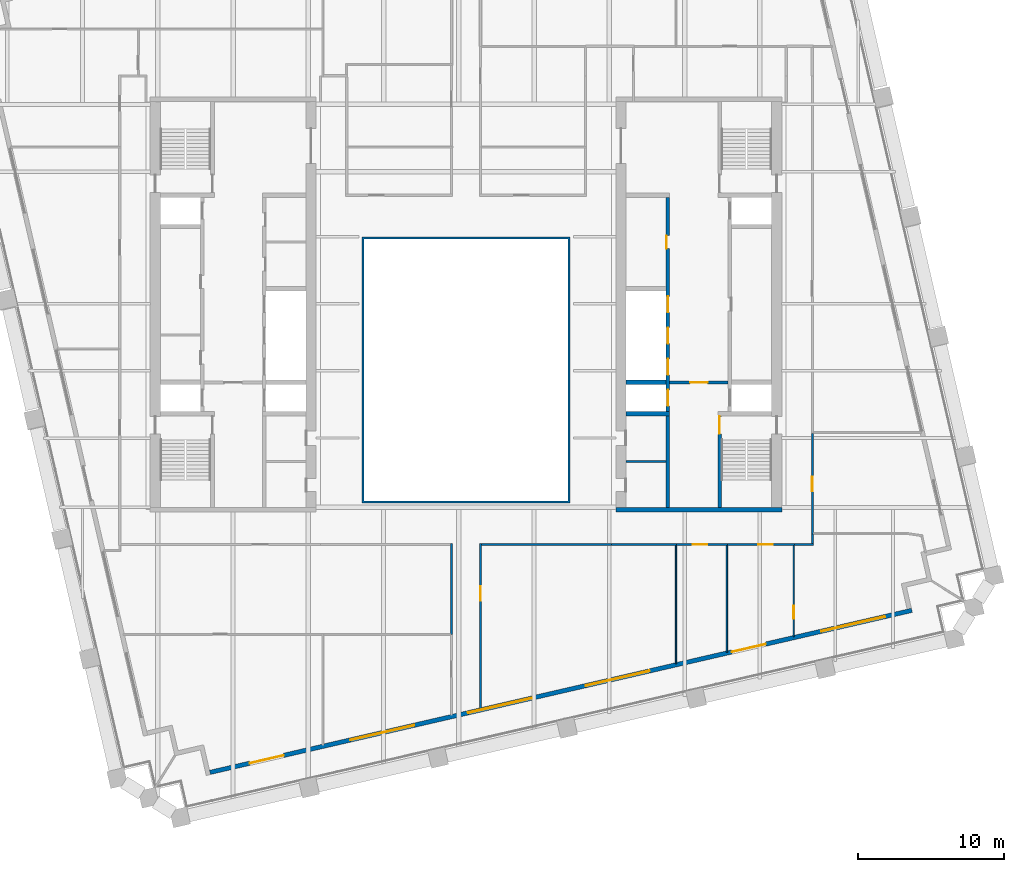
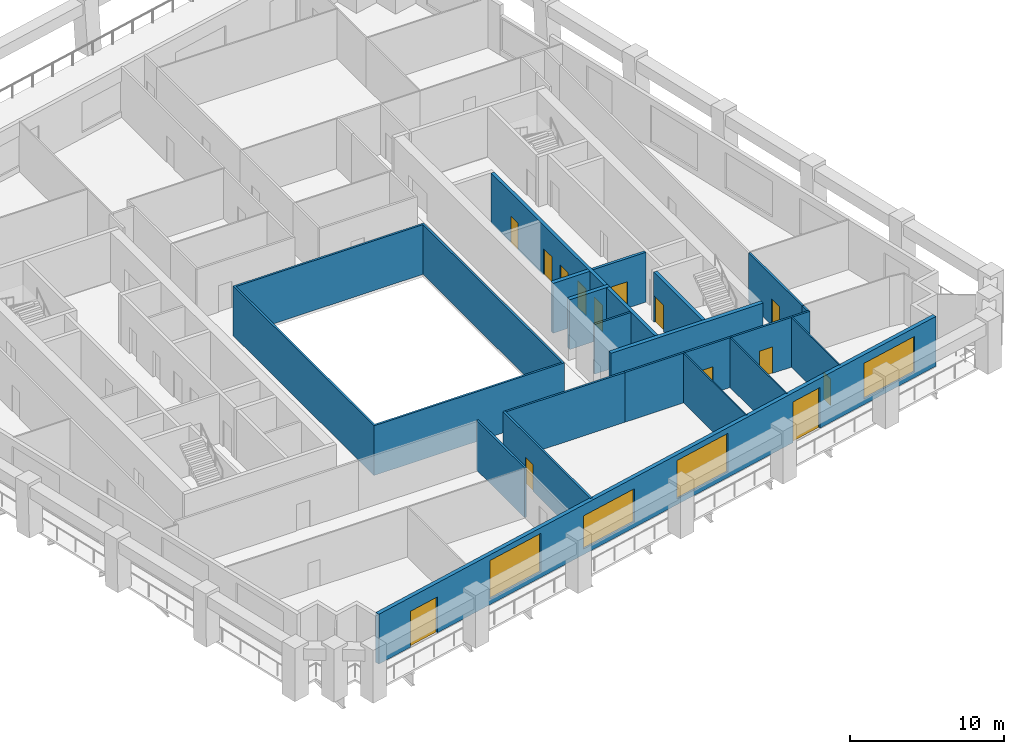
# One storey, part 5 of 11: 21 walls, 14 doors, 4 windows, 18 openings.
"""IFC4 building model written with IfcOpenShell, lengths in metres."""

from ifc_helpers import new_model, si_unit, direction, frame, frame_2d, origin, place, context, subcontext, project, spatial, polyline, rectangle, outline, extrude, material, layer, layer_set, type_object, element, fill, save


model = new_model("IFC4")

# Units and contexts
model_context = context("Model", 3, precision=1e-05, world=origin(), true_north=direction((0.0, 1.0)))
body_context = subcontext(model_context, "Body", "Model", "MODEL_VIEW")
ifc_project = project(units=[si_unit("LENGTHUNIT", "METRE"), si_unit("AREAUNIT", "SQUARE_METRE"), si_unit("VOLUMEUNIT", "CUBIC_METRE"), si_unit("PLANEANGLEUNIT", "RADIAN"), si_unit("MASSUNIT", "GRAM", prefix="KILO")], contexts=[model_context])

# Site, building, storey
site_placement = place(None, origin())
site = spatial("IfcSite", under=ifc_project, at=site_placement, CompositionType="ELEMENT")
building_placement = place(site_placement, origin())
building = spatial("IfcBuilding", under=site, at=building_placement, Name="Ogive Exchange Tower", CompositionType="ELEMENT")
storey_placement = place(building_placement, frame((0.0, 0.0, 217.800048828125)))
storey = spatial("IfcBuildingStorey", under=building, at=storey_placement, Name="L48", CompositionType="ELEMENT", Elevation=217.800048828125)

# Walls
ifc_material_1 = material(Name="Gypsum board partition")
ifc_layer_1 = layer(ifc_material_1, 0.14990234375)
ifc_layer_set_1 = layer_set([ifc_layer_1], Name="Core room partition 150 gypsum")
wall_type_1 = type_object("IfcWallType", Name="Core room partition 150 gypsum", PredefinedType="PARTITIONING", material=ifc_layer_set_1)
wall_1_placement = place(storey_placement, frame((11.0, 0.699951171875, 0.0), z_axis=(0.0, 0.0, 1.0), x_axis=(1.0, 0.0, 0.0)))
element("IfcWall", 1, at=wall_1_placement, inside=storey, type_object=wall_type_1, Name="E south room partition", PredefinedType="PARTITIONING", context=body_context, shape_type="SweptSolid", body=[
    extrude(rectangle(XDim=2.75, YDim=0.14990234375, at=frame_2d((1.375, 0.0))), origin(), (0.0, 0.0, 1.0), 3.949951171875),
])
ifc_material_2 = material(Name="Fire partition EI 60 150")
ifc_layer_2 = layer(ifc_material_2, 0.14990234375)
ifc_layer_set_2 = layer_set([ifc_layer_2], Name="Fire partition EI 60 150")
wall_type_2 = type_object("IfcWallType", Name="Fire partition EI 60 150", PredefinedType="PARTITIONING", material=ifc_layer_set_2)
wall_2_placement = place(storey_placement, frame((-0.989990234375, -11.169921875, 0.0), z_axis=(0.0, 0.0, 1.0), x_axis=(0.0, 1.0, 0.0)))
element("IfcWall", 2, at=wall_2_placement, inside=storey, type_object=wall_type_2, Name="L48-PWL-029", PredefinedType="PARTITIONING", context=body_context, shape_type="SweptSolid", body=[
    extrude(rectangle(XDim=6.244873046875, YDim=0.14990234375, at=frame_2d((3.12255859375, 0.0))), origin(), (0.0, 0.0, 1.0), 3.949951171875),
])

# Wall, opening, door
wall_3_placement = place(storey_placement, frame((0.989990234375, -4.925048828125, 0.0), z_axis=(0.0, 0.0, 1.0), x_axis=(0.0, -1.0, 0.0)))
wall_3 = element("IfcWall", 3, at=wall_3_placement, inside=storey, type_object=wall_type_2, Name="L48-PWL-034", PredefinedType="PARTITIONING", context=body_context, shape_type="SweptSolid", body=[
    extrude(rectangle(XDim=11.370849609375, YDim=0.14990234375, at=frame_2d((5.685546875, 0.0))), origin(), (0.0, 0.0, 1.0), 3.949951171875),
])
opening_1_placement = place(wall_3_placement, frame((2.945068359375, 0.0, 0.0)))
opening_1 = element("IfcOpeningElement", 4, at=opening_1_placement, cuts=wall_3, Name="Opening L48-I13", PredefinedType="OPENING", context=body_context, shape_type="SweptSolid", body=[
    extrude(rectangle(XDim=1.0, YDim=2.10009765625, at=frame_2d((0.5, 1.050048828125))), frame((0.0, 0.0849609375, 0.0), z_axis=(0.0, -1.0, 0.0), x_axis=(1.0, 0.0, 0.0)), (0.0, 0.0, 1.0), 0.169921875),
])
ifc_material_3 = material(Name="Fire door FD 30S 1000 x 2100")
door_type_1 = type_object("IfcDoorType", Name="Fire door FD 30S 1000 x 2100", OperationType="NOTDEFINED", PredefinedType="DOOR", material=ifc_material_3)
door_1_placement = place(opening_1_placement, origin())
door_1 = element("IfcDoor", 5, at=door_1_placement, inside=storey, type_object=door_type_1, Name="L48-IDR-013", ObjectType="DT3", OperationType="SINGLE_SWING_RIGHT", OverallHeight=2.10009765625, OverallWidth=1.0, PredefinedType="DOOR", context=body_context, shape_type="SweptSolid", body=[
    extrude(rectangle(XDim=1.0, YDim=2.10009765625, at=frame_2d((0.5, 1.050048828125))), frame((0.0, 0.02490234375, 0.0), z_axis=(0.0, -1.0, 0.0), x_axis=(1.0, 0.0, 0.0)), (0.0, 0.0, 1.0), 0.050048828125),
])
fill(opening_1, door_1)

# Walls
wall_4_placement = place(storey_placement, frame((10.0, -5.0, 0.0), z_axis=(0.0, 0.0, 1.0), x_axis=(-1.0, 0.0, 0.0)))
element("IfcWall", 6, at=wall_4_placement, inside=storey, type_object=wall_type_2, Name="L48-PWL-046", PredefinedType="PARTITIONING", context=body_context, shape_type="SweptSolid", body=[
    extrude(rectangle(XDim=8.93505859375, YDim=0.14990234375, at=frame_2d((4.467529296875, 0.0))), origin(), (0.0, 0.0, 1.0), 3.949951171875),
])
wall_5_placement = place(storey_placement, frame((14.47998046875, -5.0, 0.0), z_axis=(0.0, 0.0, 1.0), x_axis=(-1.0, 0.0, 0.0)))
element("IfcWall", 7, at=wall_5_placement, inside=storey, type_object=wall_type_2, Name="L48-PWL-049", PredefinedType="PARTITIONING", context=body_context, shape_type="SweptSolid", body=[
    extrude(rectangle(XDim=4.47998046875, YDim=0.14990234375, at=frame_2d((2.239990234375, 0.0))), origin(), (0.0, 0.0, 1.0), 3.949951171875),
])

# Wall, opening, door
wall_6_placement = place(storey_placement, frame((17.969970703125, -5.0, 0.0), z_axis=(0.0, 0.0, 1.0), x_axis=(-1.0, 0.0, 0.0)))
wall_6 = element("IfcWall", 8, at=wall_6_placement, inside=storey, type_object=wall_type_2, Name="L48-PWL-057", PredefinedType="PARTITIONING", context=body_context, shape_type="SweptSolid", body=[
    extrude(rectangle(XDim=3.489990234375, YDim=0.14990234375, at=frame_2d((1.7451171875, 0.0))), origin(), (0.0, 0.0, 1.0), 3.949951171875),
])
opening_2_placement = place(wall_6_placement, frame((1.389892578125, 0.0, 0.0)))
opening_2 = element("IfcOpeningElement", 9, at=opening_2_placement, cuts=wall_6, Name="Opening L48-I14", PredefinedType="OPENING", context=body_context, shape_type="SweptSolid", body=[
    extrude(rectangle(XDim=1.0, YDim=2.10009765625, at=frame_2d((0.5, 1.050048828125))), frame((0.0, 0.0849609375, 0.0), z_axis=(0.0, -1.0, 0.0), x_axis=(1.0, 0.0, 0.0)), (0.0, 0.0, 1.0), 0.169921875),
])
door_2_placement = place(opening_2_placement, origin())
door_2 = element("IfcDoor", 10, at=door_2_placement, inside=storey, type_object=door_type_1, Name="L48-IDR-014", ObjectType="DT3", OperationType="SINGLE_SWING_RIGHT", OverallHeight=2.10009765625, OverallWidth=1.0, PredefinedType="DOOR", context=body_context, shape_type="SweptSolid", body=[
    extrude(rectangle(XDim=1.0, YDim=2.10009765625, at=frame_2d((0.5, 1.050048828125))), frame((0.0, 0.02490234375, 0.0), z_axis=(0.0, -1.0, 0.0), x_axis=(1.0, 0.0, 0.0)), (0.0, 0.0, 1.0), 0.050048828125),
])
fill(opening_2, door_2)

wall_7_placement = place(storey_placement, frame((22.570068359375, -5.0, 0.0), z_axis=(0.0, 0.0, 1.0), x_axis=(-1.0, 0.0, 0.0)))
wall_7 = element("IfcWall", 11, at=wall_7_placement, inside=storey, type_object=wall_type_2, Name="L48-PWL-062", PredefinedType="PARTITIONING", context=body_context, shape_type="SweptSolid", body=[
    extrude(rectangle(XDim=4.650146484375, YDim=0.14990234375, at=frame_2d((2.3251953125, 0.0))), origin(), (0.0, 0.0, 1.0), 3.949951171875),
])
opening_3_placement = place(wall_7_placement, frame((1.5, 0.0, 0.0)))
opening_3 = element("IfcOpeningElement", 12, at=opening_3_placement, cuts=wall_7, Name="Opening L48-I15", PredefinedType="OPENING", context=body_context, shape_type="SweptSolid", body=[
    extrude(rectangle(XDim=1.0, YDim=2.10009765625, at=frame_2d((0.5, 1.050048828125))), frame((0.0, 0.0849609375, 0.0), z_axis=(0.0, -1.0, 0.0), x_axis=(1.0, 0.0, 0.0)), (0.0, 0.0, 1.0), 0.169921875),
])
door_3_placement = place(opening_3_placement, origin())
door_3 = element("IfcDoor", 13, at=door_3_placement, inside=storey, type_object=door_type_1, Name="L48-IDR-015", ObjectType="DT3", OperationType="SINGLE_SWING_RIGHT", OverallHeight=2.10009765625, OverallWidth=1.0, PredefinedType="DOOR", context=body_context, shape_type="SweptSolid", body=[
    extrude(rectangle(XDim=1.0, YDim=2.10009765625, at=frame_2d((0.5, 1.050048828125))), frame((0.0, 0.02490234375, 0.0), z_axis=(0.0, -1.0, 0.0), x_axis=(1.0, 0.0, 0.0)), (0.0, 0.0, 1.0), 0.050048828125),
])
fill(opening_3, door_3)

# Walls
wall_8_placement = place(storey_placement, frame((23.875, -5.0, 0.0), z_axis=(0.0, 0.0, 1.0), x_axis=(-1.0, 0.0, 0.0)))
element("IfcWall", 14, at=wall_8_placement, inside=storey, type_object=wall_type_2, Name="L48-PWL-066", PredefinedType="PARTITIONING", context=body_context, shape_type="SweptSolid", body=[
    extrude(rectangle(XDim=1.304931640625, YDim=0.14990234375, at=frame_2d((0.65234375, 0.0))), origin(), (0.0, 0.0, 1.0), 3.949951171875),
])
wall_9_placement = place(storey_placement, frame((23.800048828125, -4.2900390625, 0.0), z_axis=(0.0, 0.0, 1.0), x_axis=(0.0, -1.0, 0.0)))
element("IfcWall", 15, at=wall_9_placement, inside=storey, type_object=wall_type_2, Name="L48-PWL-067", PredefinedType="PARTITIONING", context=body_context, shape_type="SweptSolid", body=[
    extrude(rectangle(XDim=0.635009765625, YDim=0.14990234375, at=frame_2d((0.3173828125, 0.0))), origin(), (0.0, 0.0, 1.0), 3.949951171875),
])

# Wall, opening, door
wall_10_placement = place(storey_placement, frame((23.800048828125, 2.639892578125, 0.0), z_axis=(0.0, 0.0, 1.0), x_axis=(0.0, -1.0, 0.0)))
wall_10 = element("IfcWall", 16, at=wall_10_placement, inside=storey, type_object=wall_type_2, Name="L48-PWL-068", PredefinedType="PARTITIONING", context=body_context, shape_type="SweptSolid", body=[
    extrude(rectangle(XDim=6.929931640625, YDim=0.14990234375, at=frame_2d((3.46484375, 0.0))), origin(), (0.0, 0.0, 1.0), 3.949951171875),
])
opening_4_placement = place(wall_10_placement, frame((2.97998046875, 0.0, 0.0)))
opening_4 = element("IfcOpeningElement", 17, at=opening_4_placement, cuts=wall_10, Name="Opening L48-I17", PredefinedType="OPENING", context=body_context, shape_type="SweptSolid", body=[
    extrude(rectangle(XDim=1.0, YDim=2.10009765625, at=frame_2d((0.5, 1.050048828125))), frame((0.0, 0.0849609375, 0.0), z_axis=(0.0, -1.0, 0.0), x_axis=(1.0, 0.0, 0.0)), (0.0, 0.0, 1.0), 0.169921875),
])
door_4_placement = place(opening_4_placement, origin())
door_4 = element("IfcDoor", 18, at=door_4_placement, inside=storey, type_object=door_type_1, Name="L48-IDR-017", ObjectType="DT3", OperationType="SINGLE_SWING_RIGHT", OverallHeight=2.10009765625, OverallWidth=1.0, PredefinedType="DOOR", context=body_context, shape_type="SweptSolid", body=[
    extrude(rectangle(XDim=1.0, YDim=2.10009765625, at=frame_2d((0.5, 1.050048828125))), frame((0.0, 0.02490234375, 0.0), z_axis=(0.0, -1.0, 0.0), x_axis=(1.0, 0.0, 0.0)), (0.0, 0.0, 1.0), 0.050048828125),
])
fill(opening_4, door_4)

# Wall
ifc_material_4 = material(Name="Fire-resisting glass in steel frame", Category="steel")
ifc_layer_3 = layer(ifc_material_4, 0.14990234375)
ifc_layer_set_3 = layer_set([ifc_layer_3], Name="Fire-rated glazed wall 150")
wall_type_3 = type_object("IfcWallType", Name="Fire-rated glazed wall 150", PredefinedType="STANDARD", material=ifc_layer_set_3)
wall_11_placement = place(storey_placement, origin())
element("IfcWall", 19, at=wall_11_placement, inside=storey, type_object=wall_type_3, Name="Nave enclosure wall", PredefinedType="STANDARD", context=body_context, shape_type="SweptSolid", body=[
    extrude(outline(polyline([(-7.14990234375, -2.14990234375), (7.14990234375, -2.14990234375), (7.14990234375, 16.14990234375), (-7.14990234375, 16.14990234375), (-7.14990234375, -2.14990234375)]), holes=[polyline([(-7.0, -2.0), (-7.0, 16.0), (7.0, 16.0), (7.0, -2.0), (-7.0, -2.0)])]), origin(), (0.0, 0.0, 1.0), 3.949951171875),
])

# Wall, openings, doors, windows
ifc_material_5 = material(Name="Precast concrete C40/50", Category="concrete")
ifc_layer_4 = layer(ifc_material_5, 0.300048828125)
ifc_layer_set_4 = layer_set([ifc_layer_4], Name="Limestone-faced wall 300")
wall_type_4 = type_object("IfcWallType", Name="Limestone-faced wall 300", PredefinedType="STANDARD", material=ifc_layer_set_4)
wall_12_placement = place(storey_placement, frame((-17.592041015625, -20.6572265625, 0.0), z_axis=(0.0, 0.0, 1.0), x_axis=(0.974370243697, 0.224950279389, 0.0)))
wall_12 = element("IfcWall", 20, at=wall_12_placement, inside=storey, type_object=wall_type_4, Name="External wall S1", PredefinedType="STANDARD", context=body_context, shape_type="SweptSolid", body=[
    extrude(rectangle(XDim=49.499755859375, YDim=0.300048828125, at=frame_2d((24.75, 0.0))), origin(), (0.0, 0.0, 1.0), 3.949951171875),
])
opening_5_placement = place(wall_12_placement, frame((2.800048828125, 0.0, 0.0)))
opening_5 = element("IfcOpeningElement", 21, at=opening_5_placement, cuts=wall_12, Name="Opening D1R", PredefinedType="OPENING", context=body_context, shape_type="SweptSolid", body=[
    extrude(rectangle(XDim=2.39990234375, YDim=2.85009765625, at=frame_2d((1.199951171875, 1.425048828125))), frame((0.0, 0.159912109375, 0.0), z_axis=(0.0, -1.0, 0.0), x_axis=(1.0, 0.0, 0.0)), (0.0, 0.0, 1.0), 0.320068359375),
])
opening_6_placement = place(wall_12_placement, frame((9.89990234375, 0.0, 0.449951171875)))
opening_6 = element("IfcOpeningElement", 22, at=opening_6_placement, cuts=wall_12, Name="Opening W1", PredefinedType="OPENING", context=body_context, shape_type="SweptSolid", body=[
    extrude(rectangle(XDim=4.5, YDim=3.050048828125, at=frame_2d((2.25, 1.52490234375))), frame((0.0, 0.159912109375, 0.0), z_axis=(0.0, -1.0, 0.0), x_axis=(1.0, 0.0, 0.0)), (0.0, 0.0, 1.0), 0.320068359375),
])
opening_7_placement = place(wall_12_placement, frame((18.199951171875, 0.0, 0.449951171875)))
opening_7 = element("IfcOpeningElement", 23, at=opening_7_placement, cuts=wall_12, Name="Opening W1L", PredefinedType="OPENING", context=body_context, shape_type="SweptSolid", body=[
    extrude(rectangle(XDim=4.5, YDim=2.625, at=frame_2d((2.25, 1.3125))), frame((0.0, 0.159912109375, 0.0), z_axis=(0.0, -1.0, 0.0), x_axis=(1.0, 0.0, 0.0)), (0.0, 0.0, 1.0), 0.320068359375),
])
opening_8_placement = place(wall_12_placement, frame((26.5, 0.0, 0.449951171875)))
opening_8 = element("IfcOpeningElement", 24, at=opening_8_placement, cuts=wall_12, Name="Opening W1", PredefinedType="OPENING", context=body_context, shape_type="SweptSolid", body=[
    extrude(rectangle(XDim=4.5, YDim=3.050048828125, at=frame_2d((2.25, 1.52490234375))), frame((0.0, 0.159912109375, 0.0), z_axis=(0.0, -1.0, 0.0), x_axis=(1.0, 0.0, 0.0)), (0.0, 0.0, 1.0), 0.320068359375),
])
opening_9_placement = place(wall_12_placement, frame((36.800048828125, 0.0, 0.0)))
opening_9 = element("IfcOpeningElement", 25, at=opening_9_placement, cuts=wall_12, Name="Opening D1G", PredefinedType="OPENING", context=body_context, shape_type="SweptSolid", body=[
    extrude(rectangle(XDim=2.39990234375, YDim=3.22509765625, at=frame_2d((1.199951171875, 1.612548828125))), frame((0.0, 0.159912109375, 0.0), z_axis=(0.0, -1.0, 0.0), x_axis=(1.0, 0.0, 0.0)), (0.0, 0.0, 1.0), 0.320068359375),
])
opening_10_placement = place(wall_12_placement, frame((43.10009765625, 0.0, 0.449951171875)))
opening_10 = element("IfcOpeningElement", 26, at=opening_10_placement, cuts=wall_12, Name="Opening W1E", PredefinedType="OPENING", context=body_context, shape_type="SweptSolid", body=[
    extrude(rectangle(XDim=4.5, YDim=2.824951171875, at=frame_2d((2.25, 1.41259765625))), frame((0.0, 0.159912109375, 0.0), z_axis=(0.0, -1.0, 0.0), x_axis=(1.0, 0.0, 0.0)), (0.0, 0.0, 1.0), 0.320068359375),
])
ifc_material_6 = material(Name="Clear glass in bronze frame", Category="glass")
door_type_2 = type_object("IfcDoorType", Name="Sliding loggia door 2400 x 2850", OperationType="DOUBLE_DOOR_SLIDING", PredefinedType="DOOR", material=ifc_material_6)
door_5_placement = place(opening_5_placement, origin())
door_5 = element("IfcDoor", 27, at=door_5_placement, inside=storey, type_object=door_type_2, Name="Loggia door S00", OperationType="DOUBLE_DOOR_SLIDING", OverallHeight=2.85009765625, OverallWidth=2.39990234375, PredefinedType="DOOR", context=body_context, shape_type="SweptSolid", body=[
    extrude(rectangle(XDim=2.39990234375, YDim=2.85009765625, at=frame_2d((1.199951171875, 1.425048828125))), frame((0.0, 0.02490234375, 0.0), z_axis=(0.0, -1.0, 0.0), x_axis=(1.0, 0.0, 0.0)), (0.0, 0.0, 1.0), 0.050048828125),
])
fill(opening_5, door_5)
door_type_3 = type_object("IfcDoorType", Name="Sliding loggia door 2400 x 3225", OperationType="DOUBLE_DOOR_SLIDING", PredefinedType="DOOR", material=ifc_material_6)
door_6_placement = place(opening_9_placement, origin())
door_6 = element("IfcDoor", 28, at=door_6_placement, inside=storey, type_object=door_type_3, Name="Loggia door S04", OperationType="DOUBLE_DOOR_SLIDING", OverallHeight=3.22509765625, OverallWidth=2.39990234375, PredefinedType="DOOR", context=body_context, shape_type="SweptSolid", body=[
    extrude(rectangle(XDim=2.39990234375, YDim=3.22509765625, at=frame_2d((1.199951171875, 1.612548828125))), frame((0.0, 0.02490234375, 0.0), z_axis=(0.0, -1.0, 0.0), x_axis=(1.0, 0.0, 0.0)), (0.0, 0.0, 1.0), 0.050048828125),
])
fill(opening_9, door_6)
window_type_1 = type_object("IfcWindowType", Name="Twin lancet window 4500 x 2625", PartitioningType="DOUBLE_PANEL_VERTICAL", PredefinedType="WINDOW", material=ifc_material_6)
window_1_placement = place(opening_7_placement, origin())
window_1 = element("IfcWindow", 29, at=window_1_placement, inside=storey, type_object=window_type_1, Name="Window S02", OverallHeight=2.625, OverallWidth=4.5, PartitioningType="DOUBLE_PANEL_VERTICAL", PredefinedType="WINDOW", context=body_context, shape_type="SweptSolid", body=[
    extrude(rectangle(XDim=4.5, YDim=2.625, at=frame_2d((2.25, 1.3125))), frame((0.0, 0.030029296875, 0.0), z_axis=(0.0, -1.0, 0.0), x_axis=(1.0, 0.0, 0.0)), (0.0, 0.0, 1.0), 0.06005859375),
])
fill(opening_7, window_1)
window_type_2 = type_object("IfcWindowType", Name="Twin lancet window 4500 x 2825", PartitioningType="DOUBLE_PANEL_VERTICAL", PredefinedType="WINDOW", material=ifc_material_6)
window_2_placement = place(opening_10_placement, origin())
window_2 = element("IfcWindow", 30, at=window_2_placement, inside=storey, type_object=window_type_2, Name="Window S05", OverallHeight=2.824951171875, OverallWidth=4.5, PartitioningType="DOUBLE_PANEL_VERTICAL", PredefinedType="WINDOW", context=body_context, shape_type="SweptSolid", body=[
    extrude(rectangle(XDim=4.5, YDim=2.824951171875, at=frame_2d((2.25, 1.41259765625))), frame((0.0, 0.030029296875, 0.0), z_axis=(0.0, -1.0, 0.0), x_axis=(1.0, 0.0, 0.0)), (0.0, 0.0, 1.0), 0.06005859375),
])
fill(opening_10, window_2)
window_type_3 = type_object("IfcWindowType", Name="Twin lancet window 4500 x 3050", PartitioningType="DOUBLE_PANEL_VERTICAL", PredefinedType="WINDOW", material=ifc_material_6)
window_3_placement = place(opening_6_placement, origin())
window_3 = element("IfcWindow", 31, at=window_3_placement, inside=storey, type_object=window_type_3, Name="Window S01", OverallHeight=3.050048828125, OverallWidth=4.5, PartitioningType="DOUBLE_PANEL_VERTICAL", PredefinedType="WINDOW", context=body_context, shape_type="SweptSolid", body=[
    extrude(rectangle(XDim=4.5, YDim=3.050048828125, at=frame_2d((2.25, 1.52490234375))), frame((0.0, 0.030029296875, 0.0), z_axis=(0.0, -1.0, 0.0), x_axis=(1.0, 0.0, 0.0)), (0.0, 0.0, 1.0), 0.06005859375),
])
fill(opening_6, window_3)
window_4_placement = place(opening_8_placement, origin())
window_4 = element("IfcWindow", 32, at=window_4_placement, inside=storey, type_object=window_type_3, Name="Window S03", OverallHeight=3.050048828125, OverallWidth=4.5, PartitioningType="DOUBLE_PANEL_VERTICAL", PredefinedType="WINDOW", context=body_context, shape_type="SweptSolid", body=[
    extrude(rectangle(XDim=4.5, YDim=3.050048828125, at=frame_2d((2.25, 1.52490234375))), frame((0.0, 0.030029296875, 0.0), z_axis=(0.0, -1.0, 0.0), x_axis=(1.0, 0.0, 0.0)), (0.0, 0.0, 1.0), 0.06005859375),
])
fill(opening_8, window_4)

# Walls
ifc_material_7 = material(Name="Partition 100 gypsum")
ifc_layer_5 = layer(ifc_material_7, 0.10009765625)
ifc_layer_set_5 = layer_set([ifc_layer_5], Name="Partition 100 gypsum")
wall_type_5 = type_object("IfcWallType", Name="Partition 100 gypsum", PredefinedType="PARTITIONING", material=ifc_layer_set_5)
wall_13_placement = place(storey_placement, frame((14.429931640625, -5.074951171875, 0.0), z_axis=(0.0, 0.0, 1.0), x_axis=(0.0, -1.0, 0.0)))
element("IfcWall", 33, at=wall_13_placement, inside=storey, type_object=wall_type_5, Name="L48-PWL-050", PredefinedType="PARTITIONING", context=body_context, shape_type="SweptSolid", body=[
    extrude(rectangle(XDim=8.1181640625, YDim=0.10009765625, at=frame_2d((4.05908203125, 0.0))), origin(), (0.0, 0.0, 1.0), 3.949951171875),
])
wall_14_placement = place(storey_placement, frame((17.919921875, -5.074951171875, 0.0), z_axis=(0.0, 0.0, 1.0), x_axis=(0.0, -1.0, 0.0)))
element("IfcWall", 34, at=wall_14_placement, inside=storey, type_object=wall_type_5, Name="L48-PWL-058", PredefinedType="PARTITIONING", context=body_context, shape_type="SweptSolid", body=[
    extrude(rectangle(XDim=7.31201171875, YDim=0.10009765625, at=frame_2d((3.656005859375, 0.0))), origin(), (0.0, 0.0, 1.0), 3.949951171875),
])

# Wall, opening, door
wall_15_placement = place(storey_placement, frame((22.52001953125, -5.074951171875, 0.0), z_axis=(0.0, 0.0, 1.0), x_axis=(0.0, -1.0, 0.0)))
wall_15 = element("IfcWall", 35, at=wall_15_placement, inside=storey, type_object=wall_type_5, Name="L48-PWL-063", PredefinedType="PARTITIONING", context=body_context, shape_type="SweptSolid", body=[
    extrude(rectangle(XDim=6.25, YDim=0.10009765625, at=frame_2d((3.125, 0.0))), origin(), (0.0, 0.0, 1.0), 3.949951171875),
])
opening_11_placement = place(wall_15_placement, frame((4.125, 0.0, 0.0)))
opening_11 = element("IfcOpeningElement", 36, at=opening_11_placement, cuts=wall_15, Name="Opening L48-I18", PredefinedType="OPENING", context=body_context, shape_type="SweptSolid", body=[
    extrude(rectangle(XDim=0.89990234375, YDim=2.10009765625, at=frame_2d((0.449951171875, 1.050048828125))), frame((0.0, 0.06005859375, 0.0), z_axis=(0.0, -1.0, 0.0), x_axis=(1.0, 0.0, 0.0)), (0.0, 0.0, 1.0), 0.1201171875),
])
ifc_material_8 = material(Name="Door 900 x 2100")
door_type_4 = type_object("IfcDoorType", Name="Door 900 x 2100", OperationType="NOTDEFINED", PredefinedType="DOOR", material=ifc_material_8)
door_7_placement = place(opening_11_placement, frame((0.89990234375, 0.0, 0.0), z_axis=(0.0, 0.0, 1.0), x_axis=(-1.0, 0.0, 0.0)))
door_7 = element("IfcDoor", 37, at=door_7_placement, inside=storey, type_object=door_type_4, Name="L48-IDR-018", ObjectType="DT1", OperationType="SINGLE_SWING_RIGHT", OverallHeight=2.10009765625, OverallWidth=0.89990234375, PredefinedType="DOOR", context=body_context, shape_type="SweptSolid", body=[
    extrude(rectangle(XDim=0.89990234375, YDim=2.10009765625, at=frame_2d((0.449951171875, 1.050048828125))), frame((0.0, 0.02490234375, 0.0), z_axis=(0.0, -1.0, 0.0), x_axis=(1.0, 0.0, 0.0)), (0.0, 0.0, 1.0), 0.050048828125),
])
fill(opening_11, door_7)

ifc_material_9 = material(Name="Concrete C70/85", Category="concrete")
ifc_layer_6 = layer(ifc_material_9, 0.199951171875)
ifc_layer_set_6 = layer_set([ifc_layer_6], Name="RC core wall 200 C70/85")
wall_type_6 = type_object("IfcWallType", Name="RC core wall 200 C70/85", PredefinedType="SHEAR", material=ifc_layer_set_6)
wall_16_placement = place(storey_placement, frame((14.0, 6.142822265625, 0.0), z_axis=(0.0, 0.0, 1.0), x_axis=(1.0, 0.0, 0.0)))
wall_16 = element("IfcWall", 38, at=wall_16_placement, inside=storey, type_object=wall_type_6, Name="E firefighting lobby wall", PredefinedType="SHEAR", context=body_context, shape_type="SweptSolid", body=[
    extrude(rectangle(XDim=4.0, YDim=0.199951171875, at=frame_2d((2.0, 0.0))), origin(), (0.0, 0.0, 1.0), 3.949951171875),
])
opening_12_placement = place(wall_16_placement, frame((1.39990234375, 0.0, 0.0)))
opening_12 = element("IfcOpeningElement", 39, at=opening_12_placement, cuts=wall_16, Name="Opening L48-C27", PredefinedType="OPENING", context=body_context, shape_type="SweptSolid", body=[
    extrude(rectangle(XDim=1.199951171875, YDim=2.10009765625, at=frame_2d((0.60009765625, 1.050048828125))), frame((0.0, 0.10986328125, 0.0), z_axis=(0.0, -1.0, 0.0), x_axis=(1.0, 0.0, 0.0)), (0.0, 0.0, 1.0), 0.219970703125),
])
ifc_material_10 = material(Name="Steel fire door", Category="steel")
door_type_5 = type_object("IfcDoorType", Name="Firefighting lobby door FD60 1200 x 2100", OperationType="NOTDEFINED", PredefinedType="DOOR", material=ifc_material_10)
door_8_placement = place(opening_12_placement, frame((1.199951171875, 0.0, 0.0), z_axis=(0.0, 0.0, 1.0), x_axis=(-1.0, 0.0, 0.0)))
door_8 = element("IfcDoor", 40, at=door_8_placement, inside=storey, type_object=door_type_5, Name="Firefighting lobby door", ObjectType="CD3", OperationType="SINGLE_SWING_RIGHT", OverallHeight=2.10009765625, OverallWidth=1.199951171875, PredefinedType="DOOR", context=body_context, shape_type="SweptSolid", body=[
    extrude(rectangle(XDim=1.199951171875, YDim=2.10009765625, at=frame_2d((0.60009765625, 1.050048828125))), frame((0.0, 0.02490234375, 0.0), z_axis=(0.0, -1.0, 0.0), x_axis=(1.0, 0.0, 0.0)), (0.0, 0.0, 1.0), 0.050048828125),
])
fill(opening_12, door_8)

ifc_layer_7 = layer(ifc_material_9, 0.25)
ifc_layer_set_7 = layer_set([ifc_layer_7], Name="RC core wall 250 C70/85")
wall_type_7 = type_object("IfcWallType", Name="RC core wall 250 C70/85", PredefinedType="SHEAR", material=ifc_layer_set_7)
wall_17_placement = place(storey_placement, frame((17.425048828125, -2.449951171875, 0.0), z_axis=(0.0, 0.0, 1.0), x_axis=(0.0, 1.0, 0.0)))
wall_17 = element("IfcWall", 41, at=wall_17_placement, inside=storey, type_object=wall_type_7, Name="E stair S front wall", PredefinedType="SHEAR", context=body_context, shape_type="SweptSolid", body=[
    extrude(rectangle(XDim=6.300048828125, YDim=0.25, at=frame_2d((3.14990234375, 0.0))), origin(), (0.0, 0.0, 1.0), 3.949951171875),
])
opening_13_placement = place(wall_17_placement, frame((5.050048828125, 0.0, 0.0)))
opening_13 = element("IfcOpeningElement", 42, at=opening_13_placement, cuts=wall_17, Name="Opening L48-C29", PredefinedType="OPENING", context=body_context, shape_type="SweptSolid", body=[
    extrude(rectangle(XDim=1.199951171875, YDim=2.10009765625, at=frame_2d((0.60009765625, 1.050048828125))), frame((0.0, 0.135009765625, 0.0), z_axis=(0.0, -1.0, 0.0), x_axis=(1.0, 0.0, 0.0)), (0.0, 0.0, 1.0), 0.27001953125),
])
door_type_6 = type_object("IfcDoorType", Name="Stair door FD90 1200 x 2100", OperationType="NOTDEFINED", PredefinedType="DOOR", material=ifc_material_10)
door_9_placement = place(opening_13_placement, frame((1.199951171875, 0.0, 0.0), z_axis=(0.0, 0.0, 1.0), x_axis=(-1.0, 0.0, 0.0)))
door_9 = element("IfcDoor", 43, at=door_9_placement, inside=storey, type_object=door_type_6, Name="Stair door", ObjectType="CD5", OperationType="SINGLE_SWING_RIGHT", OverallHeight=2.10009765625, OverallWidth=1.199951171875, PredefinedType="DOOR", context=body_context, shape_type="SweptSolid", body=[
    extrude(rectangle(XDim=1.199951171875, YDim=2.10009765625, at=frame_2d((0.60009765625, 1.050048828125))), frame((0.0, 0.02490234375, 0.0), z_axis=(0.0, -1.0, 0.0), x_axis=(1.0, 0.0, 0.0)), (0.0, 0.0, 1.0), 0.050048828125),
])
fill(opening_13, door_9)

# Wall, openings, doors
wall_18_placement = place(storey_placement, frame((13.875, -2.449951171875, 0.0), z_axis=(0.0, 0.0, 1.0), x_axis=(0.0, 1.0, 0.0)))
wall_18 = element("IfcWall", 44, at=wall_18_placement, inside=storey, type_object=wall_type_7, Name="E row B front wall", PredefinedType="SHEAR", context=body_context, shape_type="SweptSolid", body=[
    extrude(rectangle(XDim=21.300048828125, YDim=0.25, at=frame_2d((10.64990234375, 0.0))), origin(), (0.0, 0.0, 1.0), 3.949951171875),
])
opening_14_placement = place(wall_18_placement, frame((17.78564453125, 0.0, 0.0)))
opening_14 = element("IfcOpeningElement", 45, at=opening_14_placement, cuts=wall_18, Name="Opening L48-C22", PredefinedType="OPENING", context=body_context, shape_type="SweptSolid", body=[
    extrude(rectangle(XDim=0.89990234375, YDim=2.10009765625, at=frame_2d((0.449951171875, 1.050048828125))), frame((0.0, 0.135009765625, 0.0), z_axis=(0.0, -1.0, 0.0), x_axis=(1.0, 0.0, 0.0)), (0.0, 0.0, 1.0), 0.27001953125),
])
opening_15_placement = place(wall_18_placement, frame((6.971435546875, 0.0, 0.0)))
opening_15 = element("IfcOpeningElement", 46, at=opening_15_placement, cuts=wall_18, Name="Opening L48-C23", PredefinedType="OPENING", context=body_context, shape_type="SweptSolid", body=[
    extrude(rectangle(XDim=1.10009765625, YDim=2.10009765625, at=frame_2d((0.550048828125, 1.050048828125))), frame((0.0, 0.135009765625, 0.0), z_axis=(0.0, -1.0, 0.0), x_axis=(1.0, 0.0, 0.0)), (0.0, 0.0, 1.0), 0.27001953125),
])
opening_16_placement = place(wall_18_placement, frame((9.1142578125, 0.0, 0.0)))
opening_16 = element("IfcOpeningElement", 47, at=opening_16_placement, cuts=wall_18, Name="Opening L48-C24", PredefinedType="OPENING", context=body_context, shape_type="SweptSolid", body=[
    extrude(rectangle(XDim=1.10009765625, YDim=2.10009765625, at=frame_2d((0.550048828125, 1.050048828125))), frame((0.0, 0.135009765625, 0.0), z_axis=(0.0, -1.0, 0.0), x_axis=(1.0, 0.0, 0.0)), (0.0, 0.0, 1.0), 0.27001953125),
])
opening_17_placement = place(wall_18_placement, frame((11.257080078125, 0.0, 0.0)))
opening_17 = element("IfcOpeningElement", 48, at=opening_17_placement, cuts=wall_18, Name="Opening L48-C25", PredefinedType="OPENING", context=body_context, shape_type="SweptSolid", body=[
    extrude(rectangle(XDim=1.10009765625, YDim=2.10009765625, at=frame_2d((0.550048828125, 1.050048828125))), frame((0.0, 0.135009765625, 0.0), z_axis=(0.0, -1.0, 0.0), x_axis=(1.0, 0.0, 0.0)), (0.0, 0.0, 1.0), 0.27001953125),
])
opening_18_placement = place(wall_18_placement, frame((13.39990234375, 0.0, 0.0)))
opening_18 = element("IfcOpeningElement", 49, at=opening_18_placement, cuts=wall_18, Name="Opening L48-C26", PredefinedType="OPENING", context=body_context, shape_type="SweptSolid", body=[
    extrude(rectangle(XDim=1.10009765625, YDim=2.10009765625, at=frame_2d((0.550048828125, 1.050048828125))), frame((0.0, 0.135009765625, 0.0), z_axis=(0.0, -1.0, 0.0), x_axis=(1.0, 0.0, 0.0)), (0.0, 0.0, 1.0), 0.27001953125),
])
ifc_material_11 = material(Name="Stainless steel", Category="steel")
door_type_7 = type_object("IfcDoorType", Name="Lift landing door FD90 1100 x 2100", OperationType="SLIDING_TO_LEFT", PredefinedType="DOOR", material=ifc_material_11)
door_10_placement = place(opening_15_placement, origin())
door_10 = element("IfcDoor", 50, at=door_10_placement, inside=storey, type_object=door_type_7, Name="Lift landing door SV2", ObjectType="LD", OperationType="SLIDING_TO_LEFT", OverallHeight=2.10009765625, OverallWidth=1.10009765625, PredefinedType="DOOR", context=body_context, shape_type="SweptSolid", body=[
    extrude(rectangle(XDim=1.10009765625, YDim=2.10009765625, at=frame_2d((0.550048828125, 1.050048828125))), frame((0.0, 0.02490234375, 0.0), z_axis=(0.0, -1.0, 0.0), x_axis=(1.0, 0.0, 0.0)), (0.0, 0.0, 1.0), 0.050048828125),
])
fill(opening_15, door_10)
door_11_placement = place(opening_16_placement, origin())
door_11 = element("IfcDoor", 51, at=door_11_placement, inside=storey, type_object=door_type_7, Name="Lift landing door E-M1", ObjectType="LD", OperationType="SLIDING_TO_LEFT", OverallHeight=2.10009765625, OverallWidth=1.10009765625, PredefinedType="DOOR", context=body_context, shape_type="SweptSolid", body=[
    extrude(rectangle(XDim=1.10009765625, YDim=2.10009765625, at=frame_2d((0.550048828125, 1.050048828125))), frame((0.0, 0.02490234375, 0.0), z_axis=(0.0, -1.0, 0.0), x_axis=(1.0, 0.0, 0.0)), (0.0, 0.0, 1.0), 0.050048828125),
])
fill(opening_16, door_11)
door_12_placement = place(opening_17_placement, origin())
door_12 = element("IfcDoor", 52, at=door_12_placement, inside=storey, type_object=door_type_7, Name="Lift landing door E-M2", ObjectType="LD", OperationType="SLIDING_TO_LEFT", OverallHeight=2.10009765625, OverallWidth=1.10009765625, PredefinedType="DOOR", context=body_context, shape_type="SweptSolid", body=[
    extrude(rectangle(XDim=1.10009765625, YDim=2.10009765625, at=frame_2d((0.550048828125, 1.050048828125))), frame((0.0, 0.02490234375, 0.0), z_axis=(0.0, -1.0, 0.0), x_axis=(1.0, 0.0, 0.0)), (0.0, 0.0, 1.0), 0.050048828125),
])
fill(opening_17, door_12)
door_13_placement = place(opening_18_placement, origin())
door_13 = element("IfcDoor", 53, at=door_13_placement, inside=storey, type_object=door_type_7, Name="Lift landing door E-M3", ObjectType="LD", OperationType="SLIDING_TO_LEFT", OverallHeight=2.10009765625, OverallWidth=1.10009765625, PredefinedType="DOOR", context=body_context, shape_type="SweptSolid", body=[
    extrude(rectangle(XDim=1.10009765625, YDim=2.10009765625, at=frame_2d((0.550048828125, 1.050048828125))), frame((0.0, 0.02490234375, 0.0), z_axis=(0.0, -1.0, 0.0), x_axis=(1.0, 0.0, 0.0)), (0.0, 0.0, 1.0), 0.050048828125),
])
fill(opening_18, door_13)
door_type_8 = type_object("IfcDoorType", Name="Riser door FD60 900 x 2100", OperationType="NOTDEFINED", PredefinedType="DOOR", material=ifc_material_10)
door_14_placement = place(opening_14_placement, origin())
door_14 = element("IfcDoor", 54, at=door_14_placement, inside=storey, type_object=door_type_8, Name="Riser door", ObjectType="CD2", OperationType="SINGLE_SWING_RIGHT", OverallHeight=2.10009765625, OverallWidth=0.89990234375, PredefinedType="DOOR", context=body_context, shape_type="SweptSolid", body=[
    extrude(rectangle(XDim=0.89990234375, YDim=2.10009765625, at=frame_2d((0.449951171875, 1.050048828125))), frame((0.0, 0.125, 0.0), z_axis=(0.0, -1.0, 0.0), x_axis=(1.0, 0.0, 0.0)), (0.0, 0.0, 1.0), 0.050048828125),
])
fill(opening_14, door_14)

# Walls
ifc_layer_8 = layer(ifc_material_9, 0.300048828125)
ifc_layer_set_8 = layer_set([ifc_layer_8], Name="RC core wall 300 C70/85")
wall_type_8 = type_object("IfcWallType", Name="RC core wall 300 C70/85", PredefinedType="SHEAR", material=ifc_layer_set_8)
wall_19_placement = place(storey_placement, frame((10.300048828125, -2.60009765625, 0.0), z_axis=(0.0, 0.0, 1.0), x_axis=(1.0, 0.0, 0.0)))
element("IfcWall", 55, at=wall_19_placement, inside=storey, type_object=wall_type_8, Name="E south end wall", PredefinedType="SHEAR", context=body_context, shape_type="SweptSolid", body=[
    extrude(rectangle(XDim=11.39990234375, YDim=0.300048828125, at=frame_2d((5.699951171875, 0.0))), origin(), (0.0, 0.0, 1.0), 3.949951171875),
])
wall_20_placement = place(storey_placement, frame((11.0, 4.0, 0.0), z_axis=(0.0, 0.0, 1.0), x_axis=(1.0, 0.0, 0.0)))
element("IfcWall", 56, at=wall_20_placement, inside=storey, type_object=wall_type_8, Name="E row B divider 0", PredefinedType="SHEAR", context=body_context, shape_type="SweptSolid", body=[
    extrude(rectangle(XDim=3.0, YDim=0.300048828125, at=frame_2d((1.5, 0.0))), origin(), (0.0, 0.0, 1.0), 3.949951171875),
])
wall_21_placement = place(storey_placement, frame((11.0, 6.142822265625, 0.0), z_axis=(0.0, 0.0, 1.0), x_axis=(1.0, 0.0, 0.0)))
element("IfcWall", 57, at=wall_21_placement, inside=storey, type_object=wall_type_8, Name="E row B divider 1", PredefinedType="SHEAR", context=body_context, shape_type="SweptSolid", body=[
    extrude(rectangle(XDim=2.75, YDim=0.300048828125, at=frame_2d((1.375, 0.0))), origin(), (0.0, 0.0, 1.0), 3.949951171875),
])

save(model, "model.ifc")
